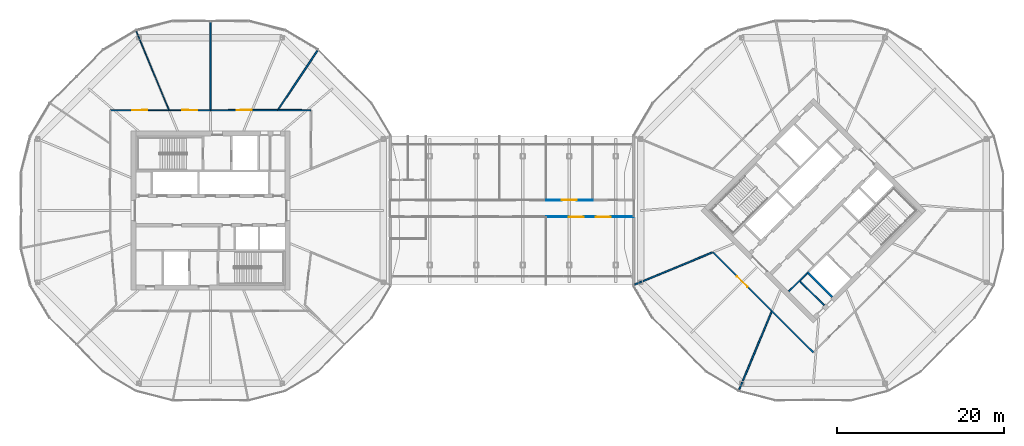
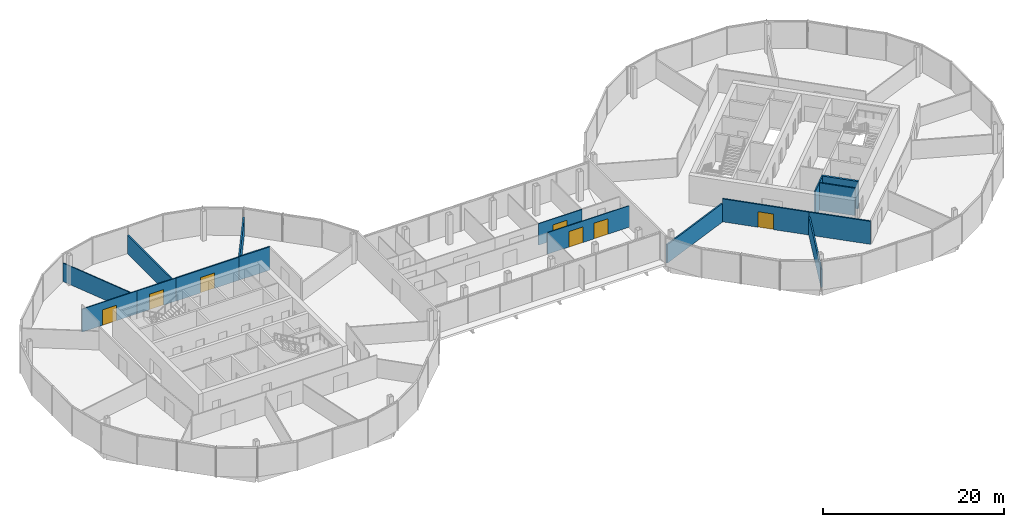
# One storey, part 22 of 26: 16 walls, 7 doors, 7 openings.
"""IFC4 building model written with IfcOpenShell, lengths in metres."""

from ifc_helpers import new_model, si_unit, direction, frame, frame_2d, origin, place, context, subcontext, project, spatial, rectangle, extrude, material, layer, layer_set, type_object, element, fill, save


model = new_model("IFC4")

# Units and contexts
model_context = context("Model", 3, precision=1e-05, world=origin(), true_north=direction((0.0, 1.0)))
body_context = subcontext(model_context, "Body", "Model", "MODEL_VIEW")
ifc_project = project(units=[si_unit("LENGTHUNIT", "METRE"), si_unit("AREAUNIT", "SQUARE_METRE"), si_unit("VOLUMEUNIT", "CUBIC_METRE"), si_unit("PLANEANGLEUNIT", "RADIAN"), si_unit("MASSUNIT", "GRAM", prefix="KILO")], contexts=[model_context])

# Site, building, storey
site_placement = place(None, origin())
site = spatial("IfcSite", under=ifc_project, at=site_placement, CompositionType="ELEMENT")
building_placement = place(site_placement, origin())
building = spatial("IfcBuilding", under=site, at=building_placement, Name="Ogive Gate Towers", CompositionType="ELEMENT")
storey_placement = place(building_placement, frame((0.0, 0.0, 148.800048828125)))
storey = spatial("IfcBuildingStorey", under=building, at=storey_placement, Name="L35", CompositionType="ELEMENT", Elevation=148.800048828125)

# Walls
ifc_material_1 = material(Name="Gypsum board acoustic partition")
ifc_layer_1 = layer(ifc_material_1, 0.175048828125)
ifc_layer_set_1 = layer_set([ifc_layer_1], Name="Acoustic partition 175")
wall_type_1 = type_object("IfcWallType", Name="Acoustic partition 175", PredefinedType="PARTITIONING", material=ifc_layer_set_1)
wall_1_placement = place(storey_placement, frame((-23.20458984375, 19.1357421875, 0.0), z_axis=(0.0, 0.0, 1.0), x_axis=(-0.55585277507, -0.831280754286, 0.0)))
element("IfcWall", 1, at=wall_1_placement, inside=storey, type_object=wall_type_1, Name="Partition T1-L35-002", PredefinedType="PARTITIONING", context=body_context, shape_type="SweptSolid", body=[
    extrude(rectangle(XDim=8.50146484375, YDim=0.175048828125, at=frame_2d((4.250732421875, 0.0))), origin(), (0.0, 0.0, 1.0), 2.5),
])
wall_2_placement = place(storey_placement, frame((-36.0, 22.51904296875, 0.0), z_axis=(0.0, 0.0, 1.0), x_axis=(0.0, -1.0, 0.0)))
element("IfcWall", 2, at=wall_2_placement, inside=storey, type_object=wall_type_1, Name="Partition T1-L35-003", PredefinedType="PARTITIONING", context=body_context, shape_type="SweptSolid", body=[
    extrude(rectangle(XDim=10.45166015625, YDim=0.175048828125, at=frame_2d((5.225830078125, 0.0))), origin(), (0.0, 0.0, 1.0), 2.5),
])
wall_3_placement = place(storey_placement, frame((-24.02001953125, 11.97998046875, 0.0), z_axis=(0.0, 0.0, 1.0), x_axis=(-0.999991965524, 0.004008601774, 0.0)))
element("IfcWall", 3, at=wall_3_placement, inside=storey, type_object=wall_type_1, Name="Partition T1-L35-013", PredefinedType="PARTITIONING", context=body_context, shape_type="SweptSolid", body=[
    extrude(rectangle(XDim=3.958740234375, YDim=0.175048828125, at=frame_2d((1.9794921875, 0.0))), origin(), (0.0, 0.0, 1.0), 3.14990234375),
])

# Wall, opening, door
wall_4_placement = place(storey_placement, frame((-27.978759765625, 11.995849609375, 0.0), z_axis=(0.0, 0.0, 1.0), x_axis=(-0.999998042992, -0.001978386023, 0.0)))
wall_4 = element("IfcWall", 4, at=wall_4_placement, inside=storey, type_object=wall_type_1, Name="Partition T1-L35-014", PredefinedType="PARTITIONING", context=body_context, shape_type="SweptSolid", body=[
    extrude(rectangle(XDim=8.021240234375, YDim=0.175048828125, at=frame_2d((4.0107421875, 0.0))), origin(), (0.0, 0.0, 1.0), 3.099853515625),
])
opening_1_placement = place(wall_4_placement, frame((3.111083984375, 0.0, 0.0)))
opening_1 = element("IfcOpeningElement", 5, at=opening_1_placement, cuts=wall_4, Name="Opening T1-L35-D02", PredefinedType="OPENING", context=body_context, shape_type="SweptSolid", body=[
    extrude(rectangle(XDim=1.800048828125, YDim=2.10009765625, at=frame_2d((0.89990234375, 1.050048828125))), frame((0.0, 0.09765625, 0.0), z_axis=(0.0, -1.0, 0.0), x_axis=(1.0, 0.0, 0.0)), (0.0, 0.0, 1.0), 0.195068359375),
])
ifc_material_2 = material(Name="Timber door", Category="wood")
door_type_1 = type_object("IfcDoorType", Name="Door pair 1800", OperationType="NOTDEFINED", PredefinedType="DOOR", material=ifc_material_2)
door_1_placement = place(opening_1_placement, origin())
door_1 = element("IfcDoor", 6, at=door_1_placement, inside=storey, type_object=door_type_1, Name="Door T1-L35-D02", OperationType="DOUBLE_DOOR_DOUBLE_SWING", OverallHeight=2.10009765625, OverallWidth=1.800048828125, PredefinedType="DOOR", context=body_context, shape_type="SweptSolid", body=[
    extrude(rectangle(XDim=1.800048828125, YDim=2.10009765625, at=frame_2d((0.89990234375, 1.050048828125))), frame((0.0, 0.02490234375, 0.0), z_axis=(0.0, -1.0, 0.0), x_axis=(1.0, 0.0, 0.0)), (0.0, 0.0, 1.0), 0.050048828125),
])
fill(opening_1, door_1)

# Walls
wall_5_placement = place(storey_placement, frame((14.6474609375, -8.844482421875, 0.0), z_axis=(0.0, 0.0, 1.0), x_axis=(0.923880569534, 0.382680928762, 0.0)))
element("IfcWall", 7, at=wall_5_placement, inside=storey, type_object=wall_type_1, Name="Partition T2-L35-006", PredefinedType="PARTITIONING", context=body_context, shape_type="SweptSolid", body=[
    extrude(rectangle(XDim=10.023193359375, YDim=0.175048828125, at=frame_2d((5.01171875, 0.0))), origin(), (0.0, 0.0, 1.0), 2.5),
])
wall_6_placement = place(storey_placement, frame((27.114013671875, -21.452392578125, 0.0), z_axis=(0.0, 0.0, 1.0), x_axis=(0.382693022058, 0.923875560272, 0.0)))
element("IfcWall", 8, at=wall_6_placement, inside=storey, type_object=wall_type_1, Name="Partition T2-L35-007", PredefinedType="PARTITIONING", context=body_context, shape_type="SweptSolid", body=[
    extrude(rectangle(XDim=10.13134765625, YDim=0.175048828125, at=frame_2d((5.065673828125, 0.0))), origin(), (0.0, 0.0, 1.0), 2.5),
])

# Wall, opening, door
wall_7_placement = place(storey_placement, frame((23.988525390625, -4.975341796875, 0.0), z_axis=(0.0, 0.0, 1.0), x_axis=(0.707106781187, -0.707106781187, 0.0)))
wall_7 = element("IfcWall", 9, at=wall_7_placement, inside=storey, type_object=wall_type_1, Name="Partition T2-L35-010", PredefinedType="PARTITIONING", context=body_context, shape_type="SweptSolid", body=[
    extrude(rectangle(XDim=9.95068359375, YDim=0.175048828125, at=frame_2d((4.975341796875, 0.0))), origin(), (0.0, 0.0, 1.0), 3.099853515625),
])
opening_2_placement = place(wall_7_placement, frame((4.074951171875, 0.0, 0.0)))
opening_2 = element("IfcOpeningElement", 10, at=opening_2_placement, cuts=wall_7, Name="Opening T2-L35-D01", PredefinedType="OPENING", context=body_context, shape_type="SweptSolid", body=[
    extrude(rectangle(XDim=1.800048828125, YDim=2.10009765625, at=frame_2d((0.89990234375, 1.050048828125))), frame((0.0, 0.09765625, 0.0), z_axis=(0.0, -1.0, 0.0), x_axis=(1.0, 0.0, 0.0)), (0.0, 0.0, 1.0), 0.195068359375),
])
door_2_placement = place(opening_2_placement, origin())
door_2 = element("IfcDoor", 11, at=door_2_placement, inside=storey, type_object=door_type_1, Name="Door T2-L35-D01", OperationType="DOUBLE_DOOR_DOUBLE_SWING", OverallHeight=2.10009765625, OverallWidth=1.800048828125, PredefinedType="DOOR", context=body_context, shape_type="SweptSolid", body=[
    extrude(rectangle(XDim=1.800048828125, YDim=2.10009765625, at=frame_2d((0.89990234375, 1.050048828125))), frame((0.0, 0.02490234375, 0.0), z_axis=(0.0, -1.0, 0.0), x_axis=(1.0, 0.0, 0.0)), (0.0, 0.0, 1.0), 0.050048828125),
])
fill(opening_2, door_2)

# Walls
wall_8_placement = place(storey_placement, frame((31.024658203125, -12.011474609375, 0.0), z_axis=(0.0, 0.0, 1.0), x_axis=(0.710271300177, -0.703928036198, 0.0)))
element("IfcWall", 12, at=wall_8_placement, inside=storey, type_object=wall_type_1, Name="Partition T2-L35-012", PredefinedType="PARTITIONING", context=body_context, shape_type="SweptSolid", body=[
    extrude(rectangle(XDim=7.0048828125, YDim=0.175048828125, at=frame_2d((3.50244140625, 0.0))), origin(), (0.0, 0.0, 1.0), 3.099853515625),
])
ifc_material_3 = material(Name="Gypsum board partition")
ifc_layer_2 = layer(ifc_material_3, 0.125)
ifc_layer_set_2 = layer_set([ifc_layer_2], Name="Partition 125")
wall_type_2 = type_object("IfcWallType", Name="Partition 125", PredefinedType="PARTITIONING", material=ifc_layer_set_2)
wall_9_placement = place(storey_placement, frame((-44.885986328125, 21.452392578125, 0.0), z_axis=(0.0, 0.0, 1.0), x_axis=(0.382675972717, -0.923882622364, 0.0)))
element("IfcWall", 13, at=wall_9_placement, inside=storey, type_object=wall_type_2, Name="Partition T1-L35-004", PredefinedType="PARTITIONING", context=body_context, shape_type="SweptSolid", body=[
    extrude(rectangle(XDim=10.176513671875, YDim=0.125, at=frame_2d((5.08837890625, 0.0))), origin(), (0.0, 0.0, 1.0), 2.5),
])

# Wall, opening, door
wall_10_placement = place(storey_placement, frame((-36.0, 11.97998046875, 0.0), z_axis=(0.0, 0.0, 1.0), x_axis=(-0.999996607509, 0.002604797769, 0.0)))
wall_10 = element("IfcWall", 14, at=wall_10_placement, inside=storey, type_object=wall_type_2, Name="Partition T1-L35-015", PredefinedType="PARTITIONING", context=body_context, shape_type="SweptSolid", body=[
    extrude(rectangle(XDim=4.967529296875, YDim=0.125, at=frame_2d((2.48388671875, 0.0))), origin(), (0.0, 0.0, 1.0), 3.099853515625),
])
opening_3_placement = place(wall_10_placement, frame((1.583984375, 0.0, 0.0)))
opening_3 = element("IfcOpeningElement", 15, at=opening_3_placement, cuts=wall_10, Name="Opening T1-L35-D03", PredefinedType="OPENING", context=body_context, shape_type="SweptSolid", body=[
    extrude(rectangle(XDim=1.800048828125, YDim=2.10009765625, at=frame_2d((0.89990234375, 1.050048828125))), frame((0.0, 0.072509765625, 0.0), z_axis=(0.0, -1.0, 0.0), x_axis=(1.0, 0.0, 0.0)), (0.0, 0.0, 1.0), 0.14501953125),
])
door_3_placement = place(opening_3_placement, origin())
door_3 = element("IfcDoor", 16, at=door_3_placement, inside=storey, type_object=door_type_1, Name="Door T1-L35-D03", OperationType="DOUBLE_DOOR_DOUBLE_SWING", OverallHeight=2.10009765625, OverallWidth=1.800048828125, PredefinedType="DOOR", context=body_context, shape_type="SweptSolid", body=[
    extrude(rectangle(XDim=1.800048828125, YDim=2.10009765625, at=frame_2d((0.89990234375, 1.050048828125))), frame((0.0, 0.02490234375, 0.0), z_axis=(0.0, -1.0, 0.0), x_axis=(1.0, 0.0, 0.0)), (0.0, 0.0, 1.0), 0.050048828125),
])
fill(opening_3, door_3)

wall_11_placement = place(storey_placement, frame((-40.967529296875, 11.992919921875, 0.0), z_axis=(0.0, 0.0, 1.0), x_axis=(-0.999998297602, -0.001845208014, 0.0)))
wall_11 = element("IfcWall", 17, at=wall_11_placement, inside=storey, type_object=wall_type_2, Name="Partition T1-L35-016", PredefinedType="PARTITIONING", context=body_context, shape_type="SweptSolid", body=[
    extrude(rectangle(XDim=7.012451171875, YDim=0.125, at=frame_2d((3.50634765625, 0.0))), origin(), (0.0, 0.0, 1.0), 3.099853515625),
])
opening_4_placement = place(wall_11_placement, frame((2.60595703125, 0.0, 0.0)))
opening_4 = element("IfcOpeningElement", 18, at=opening_4_placement, cuts=wall_11, Name="Opening T1-L35-D04", PredefinedType="OPENING", context=body_context, shape_type="SweptSolid", body=[
    extrude(rectangle(XDim=1.800048828125, YDim=2.10009765625, at=frame_2d((0.89990234375, 1.050048828125))), frame((0.0, 0.072509765625, 0.0), z_axis=(0.0, -1.0, 0.0), x_axis=(1.0, 0.0, 0.0)), (0.0, 0.0, 1.0), 0.14501953125),
])
door_4_placement = place(opening_4_placement, origin())
door_4 = element("IfcDoor", 19, at=door_4_placement, inside=storey, type_object=door_type_1, Name="Door T1-L35-D04", OperationType="DOUBLE_DOOR_DOUBLE_SWING", OverallHeight=2.10009765625, OverallWidth=1.800048828125, PredefinedType="DOOR", context=body_context, shape_type="SweptSolid", body=[
    extrude(rectangle(XDim=1.800048828125, YDim=2.10009765625, at=frame_2d((0.89990234375, 1.050048828125))), frame((0.0, 0.02490234375, 0.0), z_axis=(0.0, -1.0, 0.0), x_axis=(1.0, 0.0, 0.0)), (0.0, 0.0, 1.0), 0.050048828125),
])
fill(opening_4, door_4)

ifc_layer_3 = layer(ifc_material_3, 0.10009765625)
ifc_layer_set_3 = layer_set([ifc_layer_3], Name="Partition wall 100")
wall_type_3 = type_object("IfcWallType", Name="Partition wall 100", PredefinedType="PARTITIONING", material=ifc_layer_set_3)
wall_12_placement = place(storey_placement, frame((4.060791015625, 1.25, 0.0), z_axis=(0.0, 0.0, 1.0), x_axis=(1.0, 0.0, 0.0)))
wall_12 = element("IfcWall", 20, at=wall_12_placement, inside=storey, type_object=wall_type_3, Name="L35 partition 005", PredefinedType="PARTITIONING", context=body_context, shape_type="SweptSolid", body=[
    extrude(rectangle(XDim=5.556396484375, YDim=0.10009765625, at=frame_2d((2.7783203125, 0.0))), origin(), (0.0, 0.0, 1.0), 2.89990234375),
])
opening_5_placement = place(wall_12_placement, frame((1.878173828125, 0.0, 0.0)))
opening_5 = element("IfcOpeningElement", 21, at=opening_5_placement, cuts=wall_12, Name="Opening PO260", PredefinedType="OPENING", context=body_context, shape_type="SweptSolid", body=[
    extrude(rectangle(XDim=1.800048828125, YDim=2.10009765625, at=frame_2d((0.89990234375, 1.050048828125))), frame((0.0, 0.06005859375, 0.0), z_axis=(0.0, -1.0, 0.0), x_axis=(1.0, 0.0, 0.0)), (0.0, 0.0, 1.0), 0.1201171875),
])
door_type_2 = type_object("IfcDoorType", Name="Double door 1800 x 2100", OperationType="NOTDEFINED", PredefinedType="DOOR", material=ifc_material_2)
door_5_placement = place(opening_5_placement, origin())
door_5 = element("IfcDoor", 22, at=door_5_placement, inside=storey, type_object=door_type_2, Name="Door PO260", OperationType="DOUBLE_DOOR_DOUBLE_SWING", OverallHeight=2.10009765625, OverallWidth=1.800048828125, PredefinedType="DOOR", context=body_context, shape_type="SweptSolid", body=[
    extrude(rectangle(XDim=1.800048828125, YDim=2.10009765625, at=frame_2d((0.89990234375, 1.050048828125))), frame((0.0, 0.02490234375, 0.0), z_axis=(0.0, -1.0, 0.0), x_axis=(1.0, 0.0, 0.0)), (0.0, 0.0, 1.0), 0.050048828125),
])
fill(opening_5, door_5)

# Wall, openings, doors
wall_13_placement = place(storey_placement, frame((4.060791015625, -0.75, 0.0), z_axis=(0.0, 0.0, 1.0), x_axis=(1.0, 0.0, 0.0)))
wall_13 = element("IfcWall", 23, at=wall_13_placement, inside=storey, type_object=wall_type_3, Name="L35 partition 008", PredefinedType="PARTITIONING", context=body_context, shape_type="SweptSolid", body=[
    extrude(rectangle(XDim=10.48681640625, YDim=0.10009765625, at=frame_2d((5.243408203125, 0.0))), origin(), (0.0, 0.0, 1.0), 2.89990234375),
])
opening_6_placement = place(wall_13_placement, frame((2.72607421875, 0.0, 0.0)))
opening_6 = element("IfcOpeningElement", 24, at=opening_6_placement, cuts=wall_13, Name="Opening PO264", PredefinedType="OPENING", context=body_context, shape_type="SweptSolid", body=[
    extrude(rectangle(XDim=1.800048828125, YDim=2.10009765625, at=frame_2d((0.89990234375, 1.050048828125))), frame((0.0, 0.06005859375, 0.0), z_axis=(0.0, -1.0, 0.0), x_axis=(1.0, 0.0, 0.0)), (0.0, 0.0, 1.0), 0.1201171875),
])
opening_7_placement = place(wall_13_placement, frame((5.960693359375, 0.0, 0.0)))
opening_7 = element("IfcOpeningElement", 25, at=opening_7_placement, cuts=wall_13, Name="Opening PO265", PredefinedType="OPENING", context=body_context, shape_type="SweptSolid", body=[
    extrude(rectangle(XDim=1.800048828125, YDim=2.10009765625, at=frame_2d((0.89990234375, 1.050048828125))), frame((0.0, 0.06005859375, 0.0), z_axis=(0.0, -1.0, 0.0), x_axis=(1.0, 0.0, 0.0)), (0.0, 0.0, 1.0), 0.1201171875),
])
door_6_placement = place(opening_6_placement, origin())
door_6 = element("IfcDoor", 26, at=door_6_placement, inside=storey, type_object=door_type_2, Name="Door PO264", OperationType="DOUBLE_DOOR_DOUBLE_SWING", OverallHeight=2.10009765625, OverallWidth=1.800048828125, PredefinedType="DOOR", context=body_context, shape_type="SweptSolid", body=[
    extrude(rectangle(XDim=1.800048828125, YDim=2.10009765625, at=frame_2d((0.89990234375, 1.050048828125))), frame((0.0, 0.02490234375, 0.0), z_axis=(0.0, -1.0, 0.0), x_axis=(1.0, 0.0, 0.0)), (0.0, 0.0, 1.0), 0.050048828125),
])
fill(opening_6, door_6)
door_7_placement = place(opening_7_placement, origin())
door_7 = element("IfcDoor", 27, at=door_7_placement, inside=storey, type_object=door_type_2, Name="Door PO265", OperationType="DOUBLE_DOOR_DOUBLE_SWING", OverallHeight=2.10009765625, OverallWidth=1.800048828125, PredefinedType="DOOR", context=body_context, shape_type="SweptSolid", body=[
    extrude(rectangle(XDim=1.800048828125, YDim=2.10009765625, at=frame_2d((0.89990234375, 1.050048828125))), frame((0.0, 0.02490234375, 0.0), z_axis=(0.0, -1.0, 0.0), x_axis=(1.0, 0.0, 0.0)), (0.0, 0.0, 1.0), 0.050048828125),
])
fill(opening_7, door_7)

# Walls
ifc_layer_4 = layer(ifc_material_3, 0.14990234375)
ifc_layer_set_4 = layer_set([ifc_layer_4], Name="Room partition 150 mm")
wall_type_4 = type_object("IfcWallType", Name="Room partition 150 mm", PredefinedType="PARTITIONING", material=ifc_layer_set_4)
wall_14_placement = place(storey_placement, frame((33.0654296875, -9.652099609375, 0.0), z_axis=(0.0, 0.0, 1.0), x_axis=(0.707146476181, 0.707067083964, 0.0)))
element("IfcWall", 28, at=wall_14_placement, inside=storey, type_object=wall_type_4, Name="T2 L35 Room partition 150 mm", PredefinedType="PARTITIONING", context=body_context, shape_type="SweptSolid", body=[
    extrude(rectangle(XDim=3.0751953125, YDim=0.14990234375, at=frame_2d((1.53759765625, 0.0))), origin(), (0.0, 0.0, 1.0), 3.699951171875),
])
wall_15_placement = place(storey_placement, frame((37.272705078125, -11.313720703125, 0.0), z_axis=(0.0, 0.0, 1.0), x_axis=(-0.707076824747, 0.707136736357, 0.0)))
element("IfcWall", 29, at=wall_15_placement, inside=storey, type_object=wall_type_4, Name="T2 L35 Room partition 150 mm", PredefinedType="PARTITIONING", context=body_context, shape_type="SweptSolid", body=[
    extrude(rectangle(XDim=4.074951171875, YDim=0.14990234375, at=frame_2d((2.03759765625, 0.0))), origin(), (0.0, 0.0, 1.0), 3.699951171875),
])
ifc_material_4 = material(Name="Concrete C60/75", Category="concrete")
ifc_layer_5 = layer(ifc_material_4, 0.25)
ifc_layer_set_5 = layer_set([ifc_layer_5], Name="Shaft wall 250 mm")
wall_type_5 = type_object("IfcWallType", Name="Shaft wall 250 mm", PredefinedType="SHEAR", material=ifc_layer_set_5)
wall_16_placement = place(storey_placement, frame((38.2626953125, -10.32373046875, 0.0), z_axis=(0.0, 0.0, 1.0), x_axis=(-0.707106781187, 0.707106781187, 0.0)))
element("IfcWall", 30, at=wall_16_placement, inside=storey, type_object=wall_type_5, Name="T2 L35 Shaft wall 250 mm", PredefinedType="SHEAR", context=body_context, shape_type="SweptSolid", body=[
    extrude(rectangle(XDim=4.22509765625, YDim=0.25, at=frame_2d((2.112548828125, 0.0))), origin(), (0.0, 0.0, 1.0), 3.699951171875),
])

save(model, "model.ifc")
